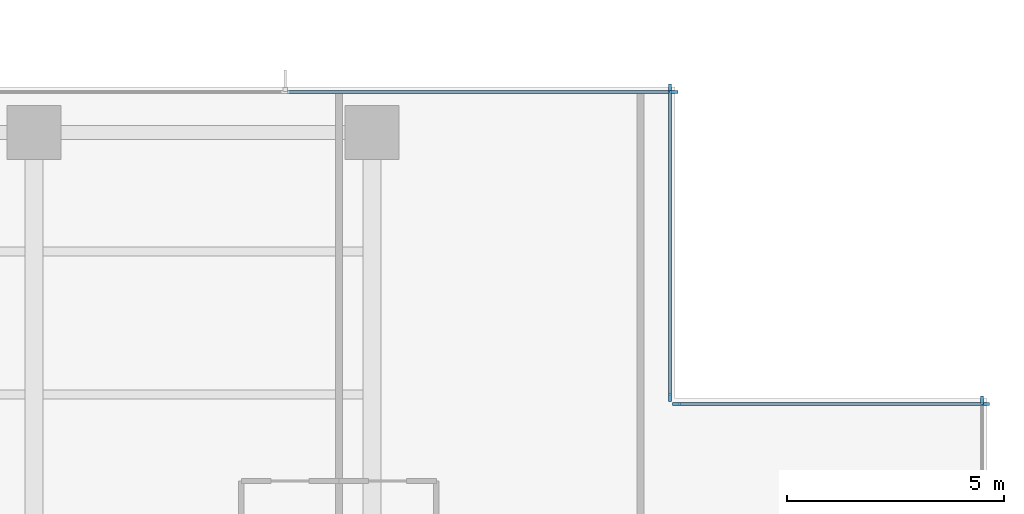
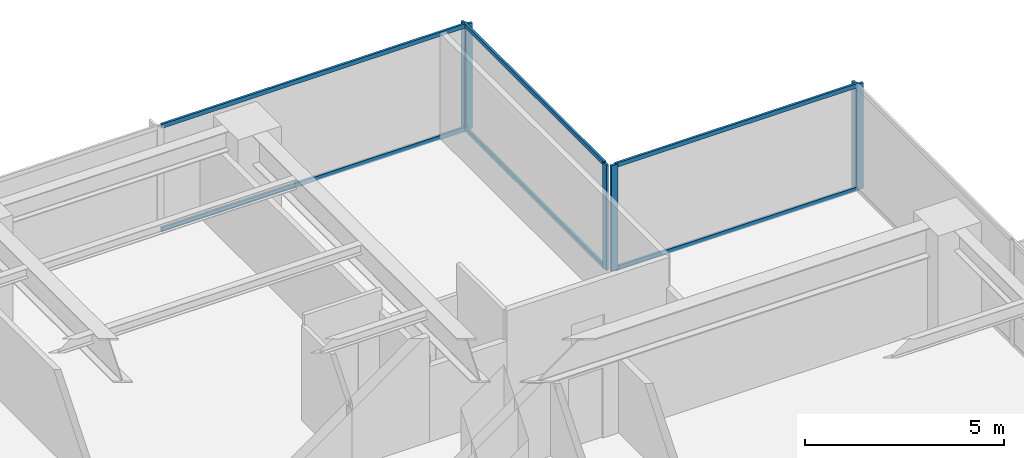
# One storey, part 6 of 17: 12 members, 4 elements without a shape of their own.
"""IFC4 building model written with IfcOpenShell, lengths in metres."""

from ifc_helpers import new_model, si_unit, direction, frame, origin, origin_2d, place, context, subcontext, project, spatial, rectangle, extrude, material, layer, layer_set, material_profile, profile_set, type_object, element, aggregate, save


model = new_model("IFC4")

# Units and contexts
model_context = context("Model", 3, precision=1e-05, world=origin(), true_north=direction((0.0, 1.0)))
body_context = subcontext(model_context, "Body", "Model", "MODEL_VIEW")
ifc_project = project(units=[si_unit("LENGTHUNIT", "METRE"), si_unit("AREAUNIT", "SQUARE_METRE"), si_unit("VOLUMEUNIT", "CUBIC_METRE"), si_unit("PLANEANGLEUNIT", "RADIAN"), si_unit("MASSUNIT", "GRAM", prefix="KILO")], contexts=[model_context])

# Site, building, storey
site_placement = place(None, origin())
site = spatial("IfcSite", under=ifc_project, at=site_placement, CompositionType="ELEMENT")
building_placement = place(site_placement, origin())
building = spatial("IfcBuilding", under=site, at=building_placement, Name="Qalmaran Belvedere Hotel", CompositionType="ELEMENT")
storey_placement = place(building_placement, frame((0.0, 0.0, 98.699951171875)))
storey = spatial("IfcBuildingStorey", under=building, at=storey_placement, Name="L24", CompositionType="ELEMENT", Elevation=98.699951171875)

# Curtain wall, member
ifc_material = material(Name="Anodised Bronze Aluminium", Category="aluminium")
ifc_layer = layer(ifc_material, 0.199951171875, Name="Anodised Bronze Aluminium")
ifc_layer_set = layer_set([ifc_layer], Name="Anodised Bronze Aluminium")
curtain_wall_type = type_object("IfcCurtainWallType", Name="CW3-TOWER-LOWMID", PredefinedType="NOTDEFINED", material=ifc_layer_set)
curtain_wall_1_placement = place(storey_placement, origin())
curtain_wall_1 = element("IfcCurtainWall", 1, at=curtain_wall_1_placement, inside=storey, type_object=curtain_wall_type, Name="L24 Curtain Wall CW3", PredefinedType="NOTDEFINED")
ifc_material_profile_1 = material_profile(ifc_material, rectangle(XDim=0.070068359375, YDim=0.18994140625, at=origin_2d()), Name="CWM70X190")
ifc_profile_set_1 = profile_set([ifc_material_profile_1], Name="Anodised Bronze Aluminium")
member_type_1 = type_object("IfcMemberType", Name="CWM-70X190", PredefinedType="MULLION", material=ifc_profile_set_1)
member_1_placement = place(storey_placement, frame((58.8798828125, 39.264892578125, 0.0), z_axis=(0.0, 0.0, 1.0), x_axis=(-1.0, 0.0, 0.0)))
member_1 = element("IfcMember", 2, at=member_1_placement, type_object=member_type_1, Name="CW3 mullion 5", PredefinedType="MULLION", context=body_context, shape_type="SweptSolid", body=[
    extrude(rectangle(XDim=0.070068359375, YDim=0.18994140625, at=origin_2d()), origin(), (0.0, 0.0, 1.0), 3.239990234375),
])
aggregate(curtain_wall_1, [member_1])

# Curtain wall, members
curtain_wall_2_placement = place(storey_placement, origin())
curtain_wall_2 = element("IfcCurtainWall", 3, at=curtain_wall_2_placement, inside=storey, type_object=curtain_wall_type, Name="L24 Curtain Wall CW3", PredefinedType="NOTDEFINED")
member_2_placement = place(storey_placement, frame((58.965087890625, 39.179931640625, 0.0), z_axis=(0.0, 0.0, 1.0), x_axis=(0.0, -1.0, 0.0)))
member_2 = element("IfcMember", 4, at=member_2_placement, type_object=member_type_1, Name="CW3 mullion 1", PredefinedType="MULLION", context=body_context, shape_type="SweptSolid", body=[
    extrude(rectangle(XDim=0.070068359375, YDim=0.18994140625, at=origin_2d()), origin(), (0.0, 0.0, 1.0), 3.239990234375),
])
member_3_placement = place(storey_placement, frame((51.8349609375, 39.179931640625, 0.0), z_axis=(0.0, 0.0, 1.0), x_axis=(0.0, -1.0, 0.0)))
member_3 = element("IfcMember", 5, at=member_3_placement, type_object=member_type_1, Name="CW3 mullion 2", PredefinedType="MULLION", context=body_context, shape_type="SweptSolid", body=[
    extrude(rectangle(XDim=0.070068359375, YDim=0.18994140625, at=origin_2d()), origin(), (0.0, 0.0, 1.0), 3.239990234375),
])

curtain_wall_3_placement = place(storey_placement, origin())
curtain_wall_3 = element("IfcCurtainWall", 6, at=curtain_wall_3_placement, inside=storey, type_object=curtain_wall_type, Name="L24 Curtain Wall CW3", PredefinedType="NOTDEFINED")
member_4_placement = place(storey_placement, frame((51.679931640625, 39.3349609375, 0.0), z_axis=(0.0, 0.0, 1.0), x_axis=(-1.0, 0.0, 0.0)))
member_4 = element("IfcMember", 7, at=member_4_placement, type_object=member_type_1, Name="CW3 mullion 1", PredefinedType="MULLION", context=body_context, shape_type="SweptSolid", body=[
    extrude(rectangle(XDim=0.070068359375, YDim=0.18994140625, at=origin_2d()), origin(), (0.0, 0.0, 1.0), 3.239990234375),
])
member_5_placement = place(storey_placement, frame((51.679931640625, 46.465087890625, 0.0), z_axis=(0.0, 0.0, 1.0), x_axis=(-1.0, 0.0, 0.0)))
member_5 = element("IfcMember", 8, at=member_5_placement, type_object=member_type_1, Name="CW3 mullion 2", PredefinedType="MULLION", context=body_context, shape_type="SweptSolid", body=[
    extrude(rectangle(XDim=0.070068359375, YDim=0.18994140625, at=origin_2d()), origin(), (0.0, 0.0, 1.0), 3.239990234375),
])

# Curtain wall, member
curtain_wall_4_placement = place(storey_placement, origin())
curtain_wall_4 = element("IfcCurtainWall", 9, at=curtain_wall_4_placement, inside=storey, type_object=curtain_wall_type, Name="L24 Curtain Wall CW3", PredefinedType="NOTDEFINED")
member_6_placement = place(storey_placement, frame((51.764892578125, 46.3798828125, 0.0), z_axis=(0.0, 0.0, 1.0), x_axis=(0.0, -1.0, 0.0)))
member_6 = element("IfcMember", 10, at=member_6_placement, type_object=member_type_1, Name="CW3 mullion 1", PredefinedType="MULLION", context=body_context, shape_type="SweptSolid", body=[
    extrude(rectangle(XDim=0.070068359375, YDim=0.18994140625, at=origin_2d()), origin(), (0.0, 0.0, 1.0), 3.239990234375),
])

# Member
ifc_material_profile_2 = material_profile(ifc_material, rectangle(XDim=0.06494140625, YDim=0.1298828125, at=origin_2d()), Name="CWT65X130")
ifc_profile_set_2 = profile_set([ifc_material_profile_2], Name="Anodised Bronze Aluminium")
member_type_2 = type_object("IfcMemberType", Name="CWT-65X130", PredefinedType="USERDEFINED", material=ifc_profile_set_2)
member_7_placement = place(storey_placement, frame((58.929931640625, 39.179931640625, 0.032470703125), z_axis=(-1.0, 0.0, 0.0), x_axis=(0.0, -1.0, 0.0)))
member_7 = element("IfcMember", 11, at=member_7_placement, type_object=member_type_2, Name="CW3 transom 1.1", ObjectType="TRANSOM", PredefinedType="USERDEFINED", context=body_context, shape_type="SweptSolid", body=[
    extrude(rectangle(XDim=0.06494140625, YDim=0.1298828125, at=origin_2d()), origin(), (0.0, 0.0, 1.0), 7.059814453125),
])

member_8_placement = place(storey_placement, frame((58.929931640625, 39.179931640625, 3.20751953125), z_axis=(-1.0, 0.0, 0.0), x_axis=(0.0, -1.0, 0.0)))
member_8 = element("IfcMember", 12, at=member_8_placement, type_object=member_type_2, Name="CW3 transom 1.2", ObjectType="TRANSOM", PredefinedType="USERDEFINED", context=body_context, shape_type="SweptSolid", body=[
    extrude(rectangle(XDim=0.06494140625, YDim=0.1298828125, at=origin_2d()), origin(), (0.0, 0.0, 1.0), 7.059814453125),
])

aggregate(curtain_wall_2, [member_2, member_3, member_7, member_8])

member_9_placement = place(storey_placement, frame((51.679931640625, 39.3701171875, 0.032470703125), z_axis=(0.0, 1.0, 0.0), x_axis=(-1.0, 0.0, 0.0)))
member_9 = element("IfcMember", 13, at=member_9_placement, type_object=member_type_2, Name="CW3 transom 1.1", ObjectType="TRANSOM", PredefinedType="USERDEFINED", context=body_context, shape_type="SweptSolid", body=[
    extrude(rectangle(XDim=0.06494140625, YDim=0.1298828125, at=origin_2d()), origin(), (0.0, 0.0, 1.0), 7.059814453125),
])

member_10_placement = place(storey_placement, frame((51.679931640625, 39.3701171875, 3.20751953125), z_axis=(0.0, 1.0, 0.0), x_axis=(-1.0, 0.0, 0.0)))
member_10 = element("IfcMember", 14, at=member_10_placement, type_object=member_type_2, Name="CW3 transom 1.2", ObjectType="TRANSOM", PredefinedType="USERDEFINED", context=body_context, shape_type="SweptSolid", body=[
    extrude(rectangle(XDim=0.06494140625, YDim=0.1298828125, at=origin_2d()), origin(), (0.0, 0.0, 1.0), 7.059814453125),
])

aggregate(curtain_wall_3, [member_4, member_5, member_9, member_10])

member_11_placement = place(storey_placement, frame((51.72998046875, 46.3798828125, 0.032470703125), z_axis=(-1.0, 0.0, 0.0), x_axis=(0.0, -1.0, 0.0)))
member_11 = element("IfcMember", 15, at=member_11_placement, type_object=member_type_2, Name="CW3 transom 1.1", ObjectType="TRANSOM", PredefinedType="USERDEFINED", context=body_context, shape_type="SweptSolid", body=[
    extrude(rectangle(XDim=0.06494140625, YDim=0.1298828125, at=origin_2d()), origin(), (0.0, 0.0, 1.0), 8.89501953125),
])

member_12_placement = place(storey_placement, frame((51.72998046875, 46.3798828125, 3.20751953125), z_axis=(-1.0, 0.0, 0.0), x_axis=(0.0, -1.0, 0.0)))
member_12 = element("IfcMember", 16, at=member_12_placement, type_object=member_type_2, Name="CW3 transom 1.2", ObjectType="TRANSOM", PredefinedType="USERDEFINED", context=body_context, shape_type="SweptSolid", body=[
    extrude(rectangle(XDim=0.06494140625, YDim=0.1298828125, at=origin_2d()), origin(), (0.0, 0.0, 1.0), 8.89501953125),
])

aggregate(curtain_wall_4, [member_6, member_11, member_12])

save(model, "model.ifc")
